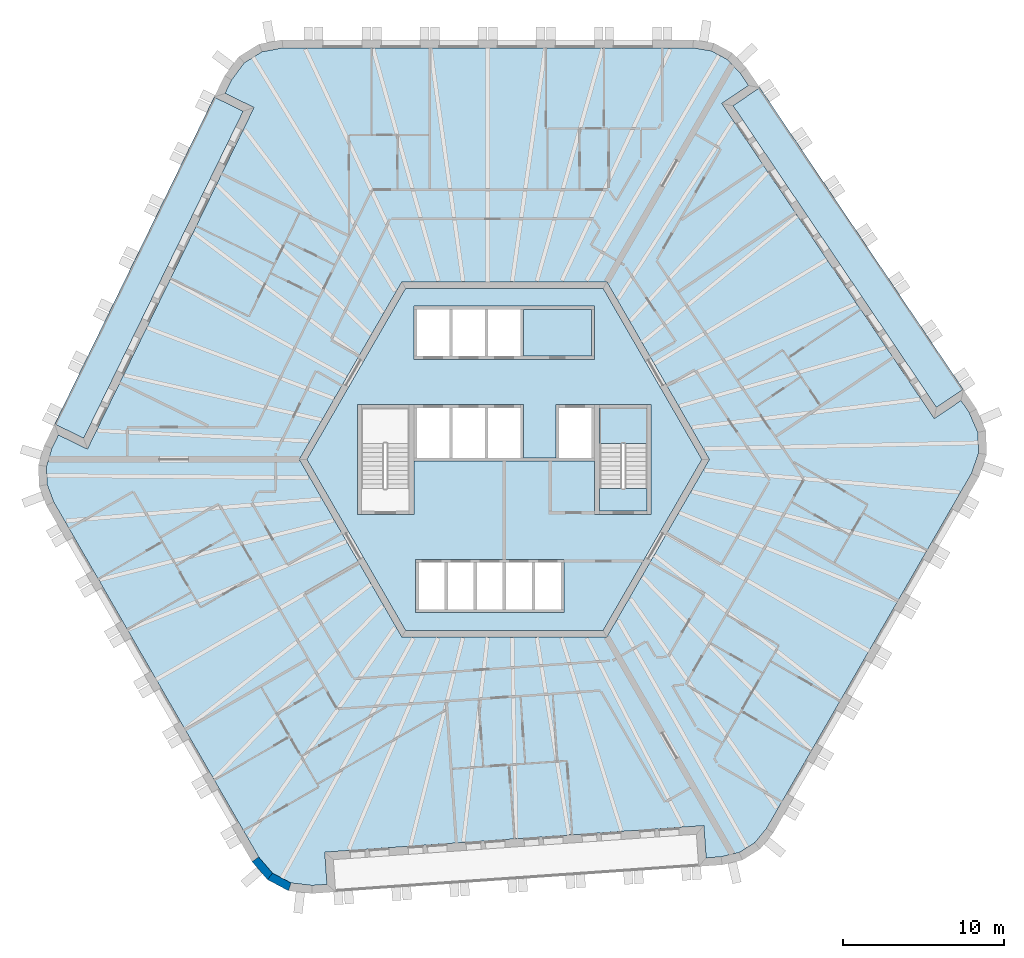
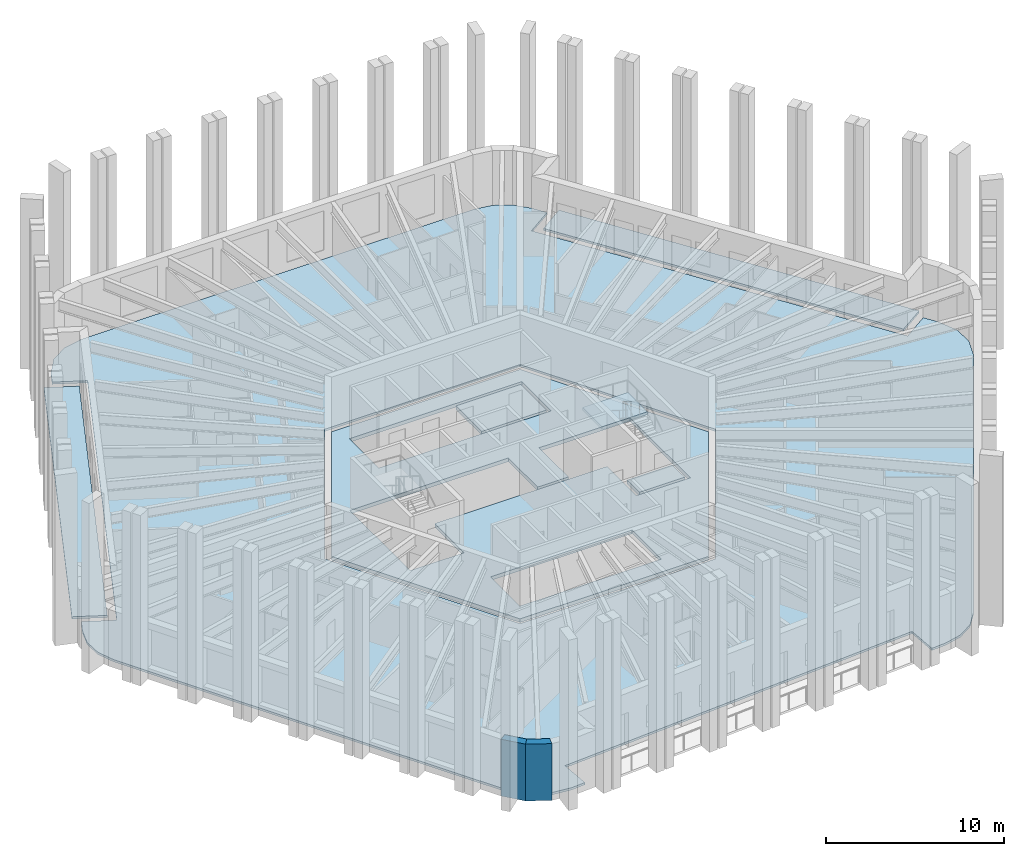
# One storey, part 2 of 13: 7 slabs, 2 walls, 1 element without a shape of its own.
"""IFC4 building model written with IfcOpenShell, lengths in metres."""

from ifc_helpers import new_model, si_unit, direction, frame, origin, place, context, subcontext, project, spatial, polyline, outline, extrude, material, layer, layer_set, type_object, element, aggregate, save


model = new_model("IFC4")

# Units and contexts
model_context = context("Model", 3, precision=1e-05, world=origin(), true_north=direction((0.0, 1.0)))
body_context = subcontext(model_context, "Body", "Model", "MODEL_VIEW")
ifc_project = project(units=[si_unit("LENGTHUNIT", "METRE"), si_unit("AREAUNIT", "SQUARE_METRE"), si_unit("VOLUMEUNIT", "CUBIC_METRE"), si_unit("PLANEANGLEUNIT", "RADIAN"), si_unit("MASSUNIT", "GRAM", prefix="KILO")], contexts=[model_context])

# Site, building, storey
site_placement = place(None, origin())
site = spatial("IfcSite", under=ifc_project, at=site_placement, CompositionType="ELEMENT")
building_placement = place(site_placement, origin())
building = spatial("IfcBuilding", under=site, at=building_placement, Name="Tarnside Tower", CompositionType="ELEMENT")
storey_placement = place(building_placement, frame((0.0, 0.0, 314.699951171875)))
storey = spatial("IfcBuildingStorey", under=building, at=storey_placement, Name="L76", CompositionType="ELEMENT", Elevation=314.699951171875)

# Slabs
ifc_material_1 = material(Name="Concrete C35/45", Category="concrete")
ifc_layer_1 = layer(ifc_material_1, 0.14990234375)
ifc_layer_set_1 = layer_set([ifc_layer_1], Name="Composite floor slab 150")
slab_type_1 = type_object("IfcSlabType", Name="Composite floor slab 150", PredefinedType="FLOOR", material=ifc_layer_set_1)
slab_1_placement = place(storey_placement, frame((0.0, 0.0, -0.14990234375)))
element("IfcSlab", 1, at=slab_1_placement, inside=storey, type_object=slab_type_1, Name="Floor slab L76", PredefinedType="FLOOR", context=body_context, shape_type="SweptSolid", body=[
    extrude(outline(polyline([(12.81689453125, 25.312744140625), (13.818115234375, 24.7802734375), (14.610595703125, 23.940185546875), (15.130615234375, 23.169677734375), (13.472412109375, 22.05126953125), (26.638427734375, 2.53173828125), (28.29638671875, 3.650146484375), (28.814697265625, 2.8818359375), (29.336669921875, 1.671875), (29.3818359375, 0.378662109375), (28.945556640625, -0.864990234375), (16.2451171875, -22.86279296875), (15.51318359375, -23.756103515625), (14.55126953125, -24.35693359375), (13.427490234375, -24.623291015625), (12.500244140625, -24.688232421875), (12.360595703125, -22.693115234375), (-11.126708984375, -24.33544921875), (-10.9873046875, -26.33056640625), (-11.91162109375, -26.395263671875), (-13.220458984375, -26.2421875), (-14.363037109375, -25.634765625), (-15.2216796875, -24.635009765625), (-27.922119140625, -2.63720703125), (-28.329833984375, -1.556640625), (-28.369384765625, -0.42333984375), (-28.0380859375, 0.68310546875), (-27.630615234375, 1.5185546875), (-25.8330078125, 0.641845703125), (-15.51171875, 21.8037109375), (-17.309326171875, 22.680419921875), (-16.903076171875, 23.51318359375), (-16.1162109375, 24.5703125), (-15.018798828125, 25.256103515625), (-13.723876953125, 25.5), (11.67724609375, 25.5), (12.81689453125, 25.312744140625)]), holes=[polyline([(-12.70166015625, 0.0), (-6.350830078125, -11.0), (6.350830078125, -11.0), (12.70166015625, 0.0), (6.350830078125, 11.0), (-6.350830078125, 11.0), (-12.70166015625, 0.0)])]), origin(), (0.0, 0.0, 1.0), 0.14990234375),
])
ifc_material_2 = material(Name="Concrete C40/50", Category="concrete")
ifc_layer_2 = layer(ifc_material_2, 0.25)
ifc_layer_set_2 = layer_set([ifc_layer_2], Name="Core slab C40/50")
slab_type_2 = type_object("IfcSlabType", Name="Core slab C40/50", PredefinedType="FLOOR", material=ifc_layer_set_2)
slab_2_placement = place(storey_placement, frame((0.0, 0.0, -0.25)))
element("IfcSlab", 2, at=slab_2_placement, inside=storey, type_object=slab_type_2, Name="L76 core floor slab 1", PredefinedType="FLOOR", context=body_context, shape_type="SweptSolid", body=[
    extrude(outline(polyline([(6.119873046875, 10.60009765625), (12.23974609375, 0.0), (6.119873046875, -10.60009765625), (-6.119873046875, -10.60009765625), (-12.23974609375, 0.0), (-6.119873046875, 10.60009765625), (6.119873046875, 10.60009765625)]), holes=[polyline([(-5.5, -9.5), (3.699951171875, -9.5), (3.699951171875, -9.300048828125), (3.699951171875, -6.39990234375), (3.699951171875, -6.199951171875), (-5.5, -6.199951171875), (-5.5, -6.39990234375), (-5.5, -9.300048828125), (-5.5, -9.5)]), polyline([(-5.60009765625, -3.39990234375), (-5.60009765625, -0.10009765625), (5.60009765625, -0.10009765625), (5.60009765625, -3.39990234375), (5.89990234375, -3.39990234375), (8.85009765625, -3.39990234375), (9.10009765625, -3.39990234375), (9.10009765625, 3.39990234375), (8.85009765625, 3.39990234375), (5.89990234375, 3.39990234375), (5.60009765625, 3.39990234375), (3.39990234375, 3.39990234375), (3.199951171875, 3.39990234375), (3.199951171875, 0.10009765625), (1.199951171875, 0.10009765625), (1.199951171875, 3.39990234375), (1.0, 3.39990234375), (-5.60009765625, 3.39990234375), (-5.89990234375, 3.39990234375), (-8.85009765625, 3.39990234375), (-9.10009765625, 3.39990234375), (-9.10009765625, -3.39990234375), (-8.85009765625, -3.39990234375), (-5.89990234375, -3.39990234375), (-5.60009765625, -3.39990234375)]), polyline([(-5.60009765625, 6.199951171875), (5.60009765625, 6.199951171875), (5.60009765625, 6.39990234375), (5.60009765625, 9.300048828125), (5.60009765625, 9.5), (-5.60009765625, 9.5), (-5.60009765625, 9.300048828125), (-5.60009765625, 6.39990234375), (-5.60009765625, 6.199951171875)])]), origin(), (0.0, 0.0, 1.0), 0.25),
])
slab_3_placement = place(storey_placement, frame((0.0, 0.0, -0.25)))
element("IfcSlab", 3, at=slab_3_placement, inside=storey, type_object=slab_type_2, Name="L76 core floor slab 3", PredefinedType="FLOOR", context=body_context, shape_type="SweptSolid", body=[
    extrude(outline(polyline([(5.89990234375, -1.800048828125), (8.85009765625, -1.800048828125), (8.85009765625, -3.199951171875), (5.89990234375, -3.199951171875), (5.89990234375, -1.800048828125)])), origin(), (0.0, 0.0, 1.0), 0.25),
])
slab_4_placement = place(storey_placement, frame((0.0, 0.0, -0.25)))
element("IfcSlab", 4, at=slab_4_placement, inside=storey, type_object=slab_type_2, Name="L76 core floor slab 4", PredefinedType="FLOOR", context=body_context, shape_type="SweptSolid", body=[
    extrude(outline(polyline([(5.39990234375, 6.39990234375), (1.199951171875, 6.39990234375), (1.199951171875, 9.300048828125), (5.39990234375, 9.300048828125), (5.39990234375, 6.39990234375)])), origin(), (0.0, 0.0, 1.0), 0.25),
])
ifc_material_3 = material(Name="Timber decking", Category="wood")
ifc_layer_3 = layer(ifc_material_3, 0.0400390625)
ifc_material_4 = material(Name="Concrete C60/75 precast", Category="concrete")
ifc_layer_4 = layer(ifc_material_4, 0.110107421875)
ifc_layer_set_3 = layer_set([ifc_layer_3, ifc_layer_4], Name="Loggia deck 150")
slab_type_3 = type_object("IfcSlabType", Name="Loggia deck 150", PredefinedType="FLOOR", material=ifc_layer_set_3)
slab_5_placement = place(storey_placement, frame((0.0, 0.0, -0.14990234375)))
element("IfcSlab", 5, at=slab_5_placement, inside=storey, type_object=slab_type_3, Name="Loggia deck L76 F2", PredefinedType="FLOOR", context=body_context, shape_type="SweptSolid", body=[
    extrude(outline(polyline([(-16.180419921875, 21.573486328125), (-26.063232421875, 1.310302734375), (-27.86083984375, 2.187255859375), (-17.97802734375, 22.4501953125), (-16.180419921875, 21.573486328125)])), origin(), (0.0, 0.0, 1.0), 0.14990234375),
])
slab_6_placement = place(storey_placement, frame((0.0, 0.0, -0.14990234375)))
element("IfcSlab", 6, at=slab_6_placement, inside=storey, type_object=slab_type_3, Name="Loggia deck L76 F6", PredefinedType="FLOOR", context=body_context, shape_type="SweptSolid", body=[
    extrude(outline(polyline([(26.7734375, 3.225830078125), (14.16650390625, 21.916259765625), (15.82470703125, 23.03466796875), (28.431396484375, 4.34423828125), (26.7734375, 3.225830078125)])), origin(), (0.0, 0.0, 1.0), 0.14990234375),
])

# Stair, slab
stair_type = type_object("IfcStairType", Name="Exit stair 1400 clear", PredefinedType="HALF_TURN_STAIR", material=ifc_material_2)
stair_placement = place(storey_placement, origin())
stair = element("IfcStair", 7, at=stair_placement, inside=storey, type_object=stair_type, Name="L76 Exit stair 1", PredefinedType="HALF_TURN_STAIR")
ifc_layer_5 = layer(ifc_material_2, 0.199951171875)
ifc_layer_set_4 = layer_set([ifc_layer_5], Name="Stair landing 200 C40/50")
slab_type_4 = type_object("IfcSlabType", Name="Stair landing 200 C40/50", PredefinedType="LANDING", material=ifc_layer_set_4)
slab_7_placement = place(storey_placement, frame((0.0, 0.0, 1.75)))
slab_7 = element("IfcSlab", 8, at=slab_7_placement, type_object=slab_type_4, Name="ST1 landing 1", PredefinedType="LANDING", context=body_context, shape_type="SweptSolid", body=[
    extrude(outline(polyline([(8.85009765625, 1.0), (8.85009765625, 3.199951171875), (5.89990234375, 3.199951171875), (5.89990234375, 1.0), (8.85009765625, 1.0)])), origin(), (0.0, 0.0, 1.0), 0.199951171875),
])
aggregate(stair, [slab_7])

# Walls
ifc_material_5 = material(Name="Facing brick", Category="masonry")
ifc_layer_6 = layer(ifc_material_5, 0.10205078125)
ifc_layer_7 = layer(ifc_material_4, 0.298095703125)
ifc_material_6 = material(Name="Mineral wool insulation")
ifc_layer_8 = layer(ifc_material_6, 0.10009765625)
ifc_layer_set_5 = layer_set([ifc_layer_6, ifc_layer_7, ifc_layer_8], Name="Tube wall 500 brick faced")
wall_type = type_object("IfcWallType", Name="Tube wall 500 brick faced", PredefinedType="SOLIDWALL", material=ifc_layer_set_5)
wall_1_placement = place(storey_placement, frame((-15.426513671875, -24.7802734375, -0.14990234375), z_axis=(0.0, 0.0, 1.0), x_axis=(0.651616566281, -0.758548515619, 0.0)))
element("IfcWall", 9, at=wall_1_placement, inside=storey, type_object=wall_type, Name="Tube wall L76 F3 chord 13", PredefinedType="SOLIDWALL", context=body_context, shape_type="SweptSolid", body=[
    extrude(outline(polyline([(-0.0234375, -0.25), (1.435302734375, -0.25), (1.341064453125, 0.25), (0.0234375, 0.25), (-0.0234375, -0.25)])), origin(), (0.0, 0.0, 1.0), 3.89990234375),
])
wall_2_placement = place(storey_placement, frame((-14.52197265625, -25.833251953125, -0.14990234375), z_axis=(0.0, 0.0, 1.0), x_axis=(0.882926676147, -0.469510899286, 0.0)))
element("IfcWall", 10, at=wall_2_placement, inside=storey, type_object=wall_type, Name="Tube wall L76 F3 chord 14", PredefinedType="SOLIDWALL", context=body_context, shape_type="SweptSolid", body=[
    extrude(outline(polyline([(-0.047119140625, -0.25), (1.435546875, -0.25), (1.34130859375, 0.25), (0.047119140625, 0.25), (-0.047119140625, -0.25)])), origin(), (0.0, 0.0, 1.0), 3.89990234375),
])

save(model, "model.ifc")
